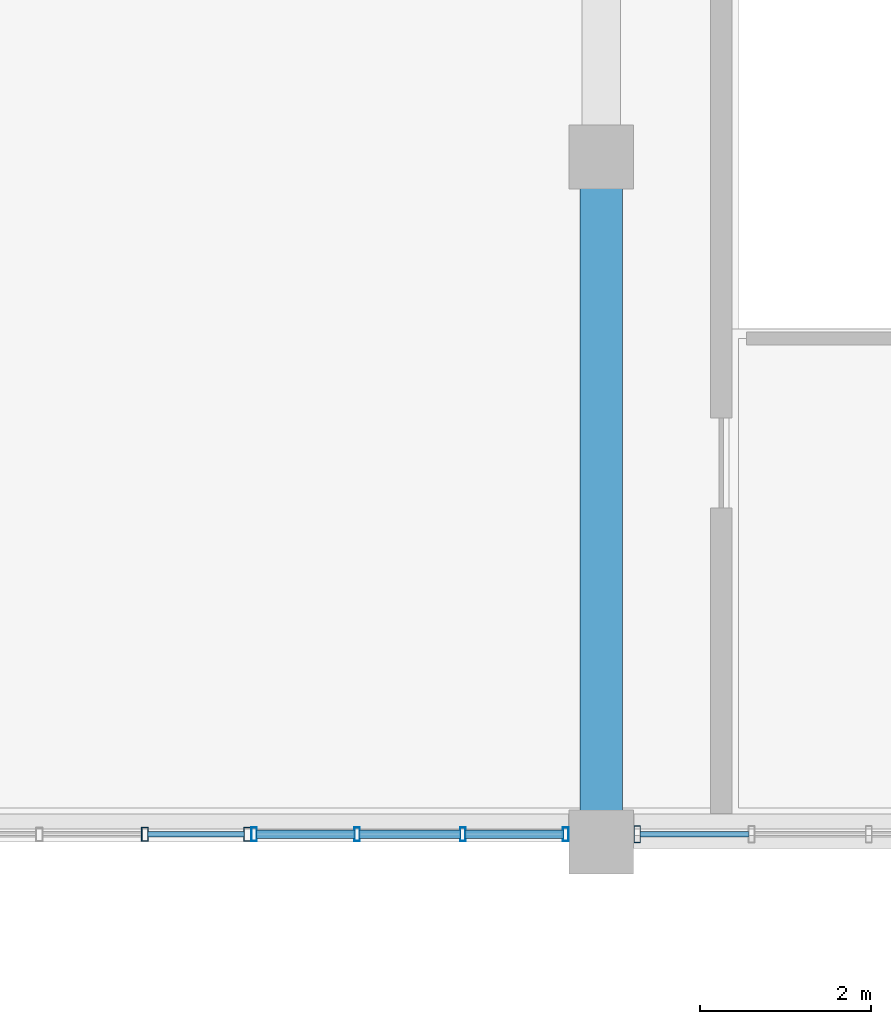
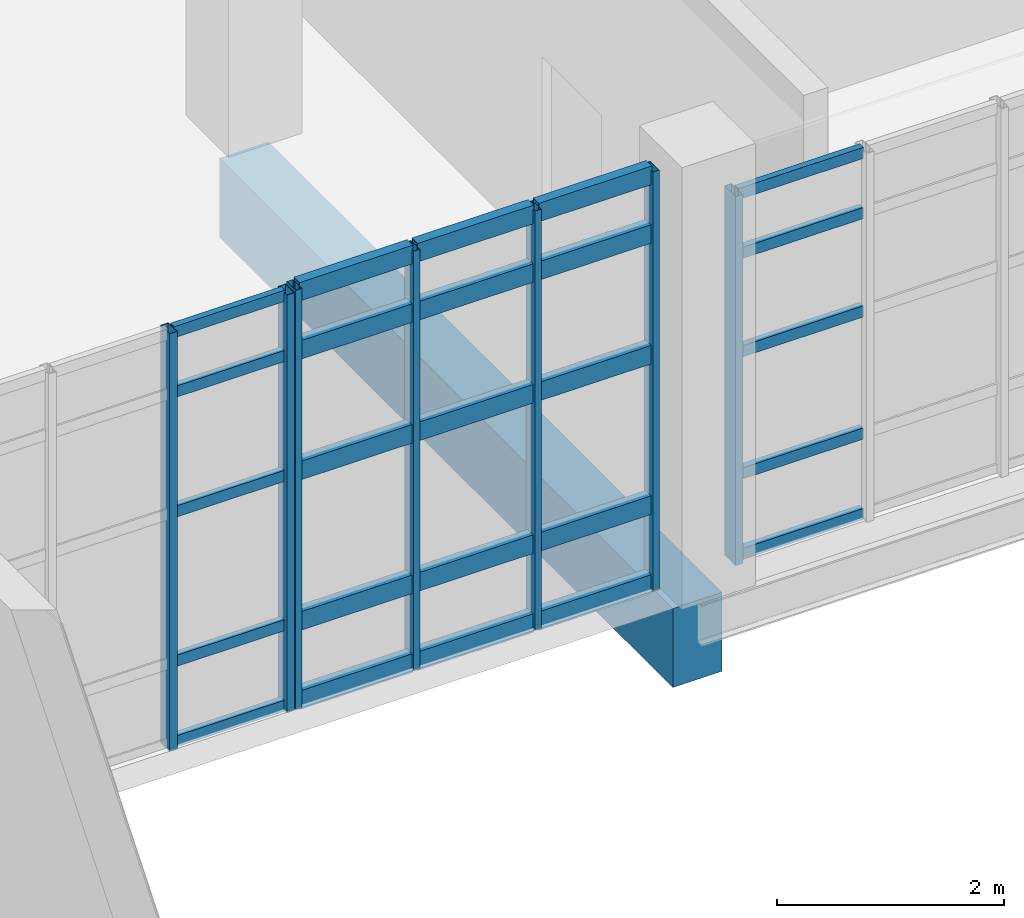
# One storey, part 41 of 102: 32 members, 1 beam, 3 elements without a shape of their own.
"""IFC4 building model written with IfcOpenShell, lengths in metres."""

from ifc_helpers import new_model, si_unit, derived_unit, direction, frame, origin, origin_2d, place, context, subcontext, project, spatial, rectangle, hollow_rectangle, extrude, material, layer, layer_set, material_profile, profile_set, type_object, element, aggregate, save


model = new_model("IFC4")

# Units and contexts
model_context = context("Model", 3, precision=1e-05, world=origin(), true_north=direction((0.0, 1.0)))
body_context = subcontext(model_context, "Body", "Model", "MODEL_VIEW")
ifc_project = project(units=[si_unit("LENGTHUNIT", "METRE"), si_unit("AREAUNIT", "SQUARE_METRE"), si_unit("VOLUMEUNIT", "CUBIC_METRE"), si_unit("PLANEANGLEUNIT", "RADIAN"), si_unit("MASSUNIT", "GRAM", prefix="KILO"), derived_unit("THERMALTRANSMITTANCEUNIT", [(si_unit("POWERUNIT", "WATT"), 1), (si_unit("LENGTHUNIT", "METRE"), -2), (si_unit("THERMODYNAMICTEMPERATUREUNIT", "KELVIN"), -1)])], contexts=[model_context])

# Site, building, storey
site_placement = place(None, origin())
site = spatial("IfcSite", under=ifc_project, at=site_placement, CompositionType="ELEMENT")
building_placement = place(site_placement, origin())
building = spatial("IfcBuilding", under=site, at=building_placement, Name="Nallur Shell Playhouse", CompositionType="ELEMENT")
storey_placement = place(building_placement, frame((0.0, 0.0, 15.0)))
storey = spatial("IfcBuildingStorey", under=building, at=storey_placement, Name="L04", CompositionType="ELEMENT", Elevation=15.0)

# Beam
ifc_material_1 = material(Name="Concrete M40", Category="concrete")
ifc_material_profile_1 = material_profile(ifc_material_1, rectangle(XDim=0.5, YDim=0.85009765625, at=origin_2d()), Name="RC 500x850")
ifc_profile_set_1 = profile_set([ifc_material_profile_1], Name="Concrete M40")
beam_type = type_object("IfcBeamType", Name="BM-RC-500x850", PredefinedType="BEAM", material=ifc_profile_set_1)
beam_placement = place(storey_placement, frame((126.39990234375, 24.0, -0.68505859375), z_axis=(0.0, 1.0, 0.0), x_axis=(-1.0, 0.0, 0.0)))
element("IfcBeam", 1, at=beam_placement, inside=storey, type_object=beam_type, Name="L04 girder Y-16-861", PredefinedType="BEAM", context=body_context, shape_type="SweptSolid", body=[
    extrude(rectangle(XDim=0.5, YDim=0.85009765625, at=origin_2d()), origin(), (0.0, 0.0, 1.0), 8.0),
])

# Curtain wall, members
ifc_material_2 = material(Name="Anodised Aluminium Double-Glazed Facade System", Category="aluminium")
ifc_layer_1 = layer(ifc_material_2, 0.172119140625)
ifc_layer_set_1 = layer_set([ifc_layer_1], Name="Anodised Aluminium Double-Glazed Facade System")
curtain_wall_type_1 = type_object("IfcCurtainWallType", Name="CW-UNIT-03", PredefinedType="NOTDEFINED", material=ifc_layer_set_1)
curtain_wall_1_placement = place(storey_placement, origin())
curtain_wall_1 = element("IfcCurtainWall", 2, at=curtain_wall_1_placement, inside=storey, type_object=curtain_wall_type_1, Name="Unitised curtain wall CW-131 (L04)", PredefinedType="NOTDEFINED")
ifc_material_3 = material(Name="Aluminium Alloy 6063-T6 Mullion", Category="aluminium")
ifc_material_profile_2 = material_profile(ifc_material_3, hollow_rectangle(XDim=0.080078125, YDim=0.159912109375, WallThickness=0.006103515625, at=origin_2d()), Name="RHS 160x80x6")
ifc_profile_set_2 = profile_set([ifc_material_profile_2], Name="Aluminium Alloy 6063-T6 Mullion")
member_type_1 = type_object("IfcMemberType", Name="MB-CW-MUL150", PredefinedType="MULLION", material=ifc_profile_set_2)
member_1_placement = place(storey_placement, frame((122.263427734375, 24.090087890625, -0.014892578125), z_axis=(0.0, 0.0, 1.0), x_axis=(-1.0, 0.0, 0.0)))
member_1 = element("IfcMember", 3, at=member_1_placement, type_object=member_type_1, Name="CW-03 mullion 1", PredefinedType="MULLION", context=body_context, shape_type="SweptSolid", body=[
    extrude(hollow_rectangle(XDim=0.080078125, YDim=0.159912109375, WallThickness=0.006103515625, at=origin_2d()), origin(), (0.0, 0.0, 1.0), 4.498779296875),
])
member_2_placement = place(storey_placement, frame((121.069091796875, 24.090087890625, -0.014892578125), z_axis=(0.0, 0.0, 1.0), x_axis=(-1.0, 0.0, 0.0)))
member_2 = element("IfcMember", 4, at=member_2_placement, type_object=member_type_1, Name="CW-03 mullion 2", PredefinedType="MULLION", context=body_context, shape_type="SweptSolid", body=[
    extrude(hollow_rectangle(XDim=0.080078125, YDim=0.159912109375, WallThickness=0.006103515625, at=origin_2d()), origin(), (0.0, 0.0, 1.0), 4.498779296875),
])

ifc_layer_2 = layer(ifc_material_2, 0.16796875)
ifc_layer_set_2 = layer_set([ifc_layer_2], Name="Anodised Aluminium Double-Glazed Facade System")
curtain_wall_type_2 = type_object("IfcCurtainWallType", Name="CW-UNIT-02", PredefinedType="NOTDEFINED", material=ifc_layer_set_2)
curtain_wall_2_placement = place(storey_placement, origin())
curtain_wall_2 = element("IfcCurtainWall", 5, at=curtain_wall_2_placement, inside=storey, type_object=curtain_wall_type_2, Name="Unitised curtain wall CW-130 (L04)", PredefinedType="NOTDEFINED")
ifc_material_profile_3 = material_profile(ifc_material_3, hollow_rectangle(XDim=0.06494140625, YDim=0.159912109375, WallThickness=0.00390625, at=origin_2d()), Name="ALU 65x160x4")
ifc_profile_set_3 = profile_set([ifc_material_profile_3], Name="Aluminium Alloy 6063-T6 Mullion")
member_type_2 = type_object("IfcMemberType", Name="MB-CW-MUL160", PredefinedType="MULLION", material=ifc_profile_set_3)
member_3_placement = place(storey_placement, frame((125.984619140625, 24.090087890625, -0.014892578125), z_axis=(0.0, 0.0, 1.0), x_axis=(-1.0, 0.0, 0.0)))
member_3 = element("IfcMember", 6, at=member_3_placement, type_object=member_type_2, Name="CW-02 mullion 1", PredefinedType="MULLION", context=body_context, shape_type="SweptSolid", body=[
    extrude(hollow_rectangle(XDim=0.06494140625, YDim=0.159912109375, WallThickness=0.00390625, at=origin_2d()), origin(), (0.0, 0.0, 1.0), 4.518798828125),
])
member_4_placement = place(storey_placement, frame((124.782470703125, 24.090087890625, -0.014892578125), z_axis=(0.0, 0.0, 1.0), x_axis=(-1.0, 0.0, 0.0)))
member_4 = element("IfcMember", 7, at=member_4_placement, type_object=member_type_2, Name="CW-02 mullion 2", PredefinedType="MULLION", context=body_context, shape_type="SweptSolid", body=[
    extrude(hollow_rectangle(XDim=0.06494140625, YDim=0.159912109375, WallThickness=0.00390625, at=origin_2d()), origin(), (0.0, 0.0, 1.0), 4.518798828125),
])
member_5_placement = place(storey_placement, frame((123.548095703125, 24.090087890625, -0.014892578125), z_axis=(0.0, 0.0, 1.0), x_axis=(-1.0, 0.0, 0.0)))
member_5 = element("IfcMember", 8, at=member_5_placement, type_object=member_type_2, Name="CW-02 mullion 3", PredefinedType="MULLION", context=body_context, shape_type="SweptSolid", body=[
    extrude(hollow_rectangle(XDim=0.06494140625, YDim=0.159912109375, WallThickness=0.00390625, at=origin_2d()), origin(), (0.0, 0.0, 1.0), 4.518798828125),
])
member_6_placement = place(storey_placement, frame((122.345947265625, 24.090087890625, -0.014892578125), z_axis=(0.0, 0.0, 1.0), x_axis=(-1.0, 0.0, 0.0)))
member_6 = element("IfcMember", 9, at=member_6_placement, type_object=member_type_2, Name="CW-02 mullion 4", PredefinedType="MULLION", context=body_context, shape_type="SweptSolid", body=[
    extrude(hollow_rectangle(XDim=0.06494140625, YDim=0.159912109375, WallThickness=0.00390625, at=origin_2d()), origin(), (0.0, 0.0, 1.0), 4.518798828125),
])

ifc_layer_3 = layer(ifc_material_2, 0.1640625)
ifc_layer_set_3 = layer_set([ifc_layer_3], Name="Anodised Aluminium Double-Glazed Facade System")
curtain_wall_type_3 = type_object("IfcCurtainWallType", Name="CW-UNIT-01", PredefinedType="NOTDEFINED", material=ifc_layer_set_3)
curtain_wall_3_placement = place(storey_placement, origin())
curtain_wall_3 = element("IfcCurtainWall", 10, at=curtain_wall_3_placement, inside=storey, type_object=curtain_wall_type_3, Name="Unitised curtain wall CW-129 (L04)", PredefinedType="NOTDEFINED")
ifc_material_profile_4 = material_profile(ifc_material_3, hollow_rectangle(XDim=0.074951171875, YDim=0.199951171875, WallThickness=0.0048828125, at=origin_2d()), Name="ALU 75x200x5")
ifc_profile_set_4 = profile_set([ifc_material_profile_4], Name="Aluminium Alloy 6063-T6 Mullion")
member_type_3 = type_object("IfcMemberType", Name="MB-CW-MUL180", PredefinedType="MULLION", material=ifc_profile_set_4)
member_7_placement = place(storey_placement, frame((126.820556640625, 24.090087890625, -0.014892578125), z_axis=(0.0, 0.0, 1.0), x_axis=(-1.0, 0.0, 0.0)))
member_7 = element("IfcMember", 11, at=member_7_placement, type_object=member_type_3, Name="CW-01 mullion 4", PredefinedType="MULLION", context=body_context, shape_type="SweptSolid", body=[
    extrude(hollow_rectangle(XDim=0.074951171875, YDim=0.199951171875, WallThickness=0.0048828125, at=origin_2d()), origin(), (0.0, 0.0, 1.0), 3.973876953125),
])
ifc_material_4 = material(Name="Aluminium Alloy 6063-T6 Transom", Category="aluminium")
ifc_material_profile_5 = material_profile(ifc_material_4, hollow_rectangle(XDim=0.06494140625, YDim=0.1201171875, WallThickness=0.00390625, at=origin_2d()), Name="ALU 65x120x4")
ifc_profile_set_5 = profile_set([ifc_material_profile_5], Name="Aluminium Alloy 6063-T6 Transom")
member_type_4 = type_object("IfcMemberType", Name="MB-CW-TRN120", PredefinedType="USERDEFINED", material=ifc_profile_set_5)
member_8_placement = place(storey_placement, frame((128.124267578125, 24.090087890625, 0.032470703125), z_axis=(-1.0, 0.0, 0.0), x_axis=(0.0, -1.0, 0.0)))
member_8 = element("IfcMember", 12, at=member_8_placement, type_object=member_type_4, Name="CW-01 transom 3.1", ObjectType="TRANSOM", PredefinedType="USERDEFINED", context=body_context, shape_type="SweptSolid", body=[
    extrude(hollow_rectangle(XDim=0.06494140625, YDim=0.1201171875, WallThickness=0.00390625, at=origin_2d()), origin(), (0.0, 0.0, 1.0), 1.274169921875),
])
member_9_placement = place(storey_placement, frame((128.124267578125, 24.090087890625, 0.89990234375), z_axis=(-1.0, 0.0, 0.0), x_axis=(0.0, -1.0, 0.0)))
member_9 = element("IfcMember", 13, at=member_9_placement, type_object=member_type_4, Name="CW-01 transom 3.2", ObjectType="TRANSOM", PredefinedType="USERDEFINED", context=body_context, shape_type="SweptSolid", body=[
    extrude(hollow_rectangle(XDim=0.06494140625, YDim=0.1201171875, WallThickness=0.00390625, at=origin_2d()), origin(), (0.0, 0.0, 1.0), 1.274169921875),
])
member_10_placement = place(storey_placement, frame((128.124267578125, 24.090087890625, 2.215087890625), z_axis=(-1.0, 0.0, 0.0), x_axis=(0.0, -1.0, 0.0)))
member_10 = element("IfcMember", 14, at=member_10_placement, type_object=member_type_4, Name="CW-01 transom 3.3", ObjectType="TRANSOM", PredefinedType="USERDEFINED", context=body_context, shape_type="SweptSolid", body=[
    extrude(hollow_rectangle(XDim=0.06494140625, YDim=0.1201171875, WallThickness=0.00390625, at=origin_2d()), origin(), (0.0, 0.0, 1.0), 1.274169921875),
])
member_11_placement = place(storey_placement, frame((128.124267578125, 24.090087890625, 3.27490234375), z_axis=(-1.0, 0.0, 0.0), x_axis=(0.0, -1.0, 0.0)))
member_11 = element("IfcMember", 15, at=member_11_placement, type_object=member_type_4, Name="CW-01 transom 3.4", ObjectType="TRANSOM", PredefinedType="USERDEFINED", context=body_context, shape_type="SweptSolid", body=[
    extrude(hollow_rectangle(XDim=0.06494140625, YDim=0.1201171875, WallThickness=0.00390625, at=origin_2d()), origin(), (0.0, 0.0, 1.0), 1.274169921875),
])
member_12_placement = place(storey_placement, frame((128.124267578125, 24.090087890625, 3.922607421875), z_axis=(-1.0, 0.0, 0.0), x_axis=(0.0, -1.0, 0.0)))
member_12 = element("IfcMember", 16, at=member_12_placement, type_object=member_type_4, Name="CW-01 transom 3.5", ObjectType="TRANSOM", PredefinedType="USERDEFINED", context=body_context, shape_type="SweptSolid", body=[
    extrude(hollow_rectangle(XDim=0.06494140625, YDim=0.1201171875, WallThickness=0.00390625, at=origin_2d()), origin(), (0.0, 0.0, 1.0), 1.274169921875),
])
aggregate(curtain_wall_3, [member_7, member_8, member_9, member_10, member_11, member_12])

# Member
member_13_placement = place(storey_placement, frame((122.2314453125, 24.090087890625, 0.032470703125), z_axis=(-1.0, 0.0, 0.0), x_axis=(0.0, -1.0, 0.0)))
member_13 = element("IfcMember", 17, at=member_13_placement, type_object=member_type_4, Name="CW-03 transom 1.1", ObjectType="TRANSOM", PredefinedType="USERDEFINED", context=body_context, shape_type="SweptSolid", body=[
    extrude(hollow_rectangle(XDim=0.06494140625, YDim=0.1201171875, WallThickness=0.00390625, at=origin_2d()), origin(), (0.0, 0.0, 1.0), 1.13037109375),
])

member_14_placement = place(storey_placement, frame((122.2314453125, 24.090087890625, 0.89990234375), z_axis=(-1.0, 0.0, 0.0), x_axis=(0.0, -1.0, 0.0)))
member_14 = element("IfcMember", 18, at=member_14_placement, type_object=member_type_4, Name="CW-03 transom 1.2", ObjectType="TRANSOM", PredefinedType="USERDEFINED", context=body_context, shape_type="SweptSolid", body=[
    extrude(hollow_rectangle(XDim=0.06494140625, YDim=0.1201171875, WallThickness=0.00390625, at=origin_2d()), origin(), (0.0, 0.0, 1.0), 1.13037109375),
])

member_15_placement = place(storey_placement, frame((122.2314453125, 24.090087890625, 2.509033203125), z_axis=(-1.0, 0.0, 0.0), x_axis=(0.0, -1.0, 0.0)))
member_15 = element("IfcMember", 19, at=member_15_placement, type_object=member_type_4, Name="CW-03 transom 1.3", ObjectType="TRANSOM", PredefinedType="USERDEFINED", context=body_context, shape_type="SweptSolid", body=[
    extrude(hollow_rectangle(XDim=0.06494140625, YDim=0.1201171875, WallThickness=0.00390625, at=origin_2d()), origin(), (0.0, 0.0, 1.0), 1.13037109375),
])

member_16_placement = place(storey_placement, frame((122.2314453125, 24.090087890625, 3.800048828125), z_axis=(-1.0, 0.0, 0.0), x_axis=(0.0, -1.0, 0.0)))
member_16 = element("IfcMember", 20, at=member_16_placement, type_object=member_type_4, Name="CW-03 transom 1.4", ObjectType="TRANSOM", PredefinedType="USERDEFINED", context=body_context, shape_type="SweptSolid", body=[
    extrude(hollow_rectangle(XDim=0.06494140625, YDim=0.1201171875, WallThickness=0.00390625, at=origin_2d()), origin(), (0.0, 0.0, 1.0), 1.13037109375),
])

member_17_placement = place(storey_placement, frame((122.2314453125, 24.090087890625, 4.447509765625), z_axis=(-1.0, 0.0, 0.0), x_axis=(0.0, -1.0, 0.0)))
member_17 = element("IfcMember", 21, at=member_17_placement, type_object=member_type_4, Name="CW-03 transom 1.5", ObjectType="TRANSOM", PredefinedType="USERDEFINED", context=body_context, shape_type="SweptSolid", body=[
    extrude(hollow_rectangle(XDim=0.06494140625, YDim=0.1201171875, WallThickness=0.00390625, at=origin_2d()), origin(), (0.0, 0.0, 1.0), 1.13037109375),
])

aggregate(curtain_wall_1, [member_1, member_2, member_13, member_14, member_15, member_16, member_17])

ifc_material_profile_6 = material_profile(ifc_material_4, hollow_rectangle(XDim=0.10009765625, YDim=0.199951171875, WallThickness=0.008056640625, at=origin_2d()), Name="RHS 200x100x8")
ifc_profile_set_6 = profile_set([ifc_material_profile_6], Name="Aluminium Alloy 6063-T6 Transom")
member_type_5 = type_object("IfcMemberType", Name="MB-CW-TRN140", PredefinedType="USERDEFINED", material=ifc_profile_set_6)
member_18_placement = place(storey_placement, frame((125.9599609375, 24.090087890625, 0.050048828125), z_axis=(-1.0, 0.0, 0.0), x_axis=(0.0, -1.0, 0.0)))
member_18 = element("IfcMember", 22, at=member_18_placement, type_object=member_type_5, Name="CW-02 transom 1.1", ObjectType="TRANSOM", PredefinedType="USERDEFINED", context=body_context, shape_type="SweptSolid", body=[
    extrude(hollow_rectangle(XDim=0.10009765625, YDim=0.199951171875, WallThickness=0.008056640625, at=origin_2d()), origin(), (0.0, 0.0, 1.0), 1.153076171875),
])

member_19_placement = place(storey_placement, frame((125.9599609375, 24.090087890625, 0.89990234375), z_axis=(-1.0, 0.0, 0.0), x_axis=(0.0, -1.0, 0.0)))
member_19 = element("IfcMember", 23, at=member_19_placement, type_object=member_type_5, Name="CW-02 transom 1.2", ObjectType="TRANSOM", PredefinedType="USERDEFINED", context=body_context, shape_type="SweptSolid", body=[
    extrude(hollow_rectangle(XDim=0.10009765625, YDim=0.199951171875, WallThickness=0.008056640625, at=origin_2d()), origin(), (0.0, 0.0, 1.0), 1.153076171875),
])

member_20_placement = place(storey_placement, frame((125.9599609375, 24.090087890625, 2.52001953125), z_axis=(-1.0, 0.0, 0.0), x_axis=(0.0, -1.0, 0.0)))
member_20 = element("IfcMember", 24, at=member_20_placement, type_object=member_type_5, Name="CW-02 transom 1.3", ObjectType="TRANSOM", PredefinedType="USERDEFINED", context=body_context, shape_type="SweptSolid", body=[
    extrude(hollow_rectangle(XDim=0.10009765625, YDim=0.199951171875, WallThickness=0.008056640625, at=origin_2d()), origin(), (0.0, 0.0, 1.0), 1.153076171875),
])

member_21_placement = place(storey_placement, frame((125.9599609375, 24.090087890625, 3.820068359375), z_axis=(-1.0, 0.0, 0.0), x_axis=(0.0, -1.0, 0.0)))
member_21 = element("IfcMember", 25, at=member_21_placement, type_object=member_type_5, Name="CW-02 transom 1.4", ObjectType="TRANSOM", PredefinedType="USERDEFINED", context=body_context, shape_type="SweptSolid", body=[
    extrude(hollow_rectangle(XDim=0.10009765625, YDim=0.199951171875, WallThickness=0.008056640625, at=origin_2d()), origin(), (0.0, 0.0, 1.0), 1.153076171875),
])

member_22_placement = place(storey_placement, frame((125.9599609375, 24.090087890625, 4.449951171875), z_axis=(-1.0, 0.0, 0.0), x_axis=(0.0, -1.0, 0.0)))
member_22 = element("IfcMember", 26, at=member_22_placement, type_object=member_type_5, Name="CW-02 transom 1.5", ObjectType="TRANSOM", PredefinedType="USERDEFINED", context=body_context, shape_type="SweptSolid", body=[
    extrude(hollow_rectangle(XDim=0.10009765625, YDim=0.199951171875, WallThickness=0.008056640625, at=origin_2d()), origin(), (0.0, 0.0, 1.0), 1.153076171875),
])

member_23_placement = place(storey_placement, frame((124.758056640625, 24.090087890625, 0.050048828125), z_axis=(-1.0, 0.0, 0.0), x_axis=(0.0, -1.0, 0.0)))
member_23 = element("IfcMember", 27, at=member_23_placement, type_object=member_type_5, Name="CW-02 transom 2.1", ObjectType="TRANSOM", PredefinedType="USERDEFINED", context=body_context, shape_type="SweptSolid", body=[
    extrude(hollow_rectangle(XDim=0.10009765625, YDim=0.199951171875, WallThickness=0.008056640625, at=origin_2d()), origin(), (0.0, 0.0, 1.0), 1.185546875),
])

member_24_placement = place(storey_placement, frame((124.758056640625, 24.090087890625, 0.89990234375), z_axis=(-1.0, 0.0, 0.0), x_axis=(0.0, -1.0, 0.0)))
member_24 = element("IfcMember", 28, at=member_24_placement, type_object=member_type_5, Name="CW-02 transom 2.2", ObjectType="TRANSOM", PredefinedType="USERDEFINED", context=body_context, shape_type="SweptSolid", body=[
    extrude(hollow_rectangle(XDim=0.10009765625, YDim=0.199951171875, WallThickness=0.008056640625, at=origin_2d()), origin(), (0.0, 0.0, 1.0), 1.185546875),
])

member_25_placement = place(storey_placement, frame((124.758056640625, 24.090087890625, 2.52001953125), z_axis=(-1.0, 0.0, 0.0), x_axis=(0.0, -1.0, 0.0)))
member_25 = element("IfcMember", 29, at=member_25_placement, type_object=member_type_5, Name="CW-02 transom 2.3", ObjectType="TRANSOM", PredefinedType="USERDEFINED", context=body_context, shape_type="SweptSolid", body=[
    extrude(hollow_rectangle(XDim=0.10009765625, YDim=0.199951171875, WallThickness=0.008056640625, at=origin_2d()), origin(), (0.0, 0.0, 1.0), 1.185546875),
])

member_26_placement = place(storey_placement, frame((124.758056640625, 24.090087890625, 3.820068359375), z_axis=(-1.0, 0.0, 0.0), x_axis=(0.0, -1.0, 0.0)))
member_26 = element("IfcMember", 30, at=member_26_placement, type_object=member_type_5, Name="CW-02 transom 2.4", ObjectType="TRANSOM", PredefinedType="USERDEFINED", context=body_context, shape_type="SweptSolid", body=[
    extrude(hollow_rectangle(XDim=0.10009765625, YDim=0.199951171875, WallThickness=0.008056640625, at=origin_2d()), origin(), (0.0, 0.0, 1.0), 1.185546875),
])

member_27_placement = place(storey_placement, frame((124.758056640625, 24.090087890625, 4.449951171875), z_axis=(-1.0, 0.0, 0.0), x_axis=(0.0, -1.0, 0.0)))
member_27 = element("IfcMember", 31, at=member_27_placement, type_object=member_type_5, Name="CW-02 transom 2.5", ObjectType="TRANSOM", PredefinedType="USERDEFINED", context=body_context, shape_type="SweptSolid", body=[
    extrude(hollow_rectangle(XDim=0.10009765625, YDim=0.199951171875, WallThickness=0.008056640625, at=origin_2d()), origin(), (0.0, 0.0, 1.0), 1.185546875),
])

member_28_placement = place(storey_placement, frame((123.5234375, 24.090087890625, 0.050048828125), z_axis=(-1.0, 0.0, 0.0), x_axis=(0.0, -1.0, 0.0)))
member_28 = element("IfcMember", 32, at=member_28_placement, type_object=member_type_5, Name="CW-02 transom 3.1", ObjectType="TRANSOM", PredefinedType="USERDEFINED", context=body_context, shape_type="SweptSolid", body=[
    extrude(hollow_rectangle(XDim=0.10009765625, YDim=0.199951171875, WallThickness=0.008056640625, at=origin_2d()), origin(), (0.0, 0.0, 1.0), 1.15283203125),
])

member_29_placement = place(storey_placement, frame((123.5234375, 24.090087890625, 0.89990234375), z_axis=(-1.0, 0.0, 0.0), x_axis=(0.0, -1.0, 0.0)))
member_29 = element("IfcMember", 33, at=member_29_placement, type_object=member_type_5, Name="CW-02 transom 3.2", ObjectType="TRANSOM", PredefinedType="USERDEFINED", context=body_context, shape_type="SweptSolid", body=[
    extrude(hollow_rectangle(XDim=0.10009765625, YDim=0.199951171875, WallThickness=0.008056640625, at=origin_2d()), origin(), (0.0, 0.0, 1.0), 1.15283203125),
])

member_30_placement = place(storey_placement, frame((123.5234375, 24.090087890625, 2.52001953125), z_axis=(-1.0, 0.0, 0.0), x_axis=(0.0, -1.0, 0.0)))
member_30 = element("IfcMember", 34, at=member_30_placement, type_object=member_type_5, Name="CW-02 transom 3.3", ObjectType="TRANSOM", PredefinedType="USERDEFINED", context=body_context, shape_type="SweptSolid", body=[
    extrude(hollow_rectangle(XDim=0.10009765625, YDim=0.199951171875, WallThickness=0.008056640625, at=origin_2d()), origin(), (0.0, 0.0, 1.0), 1.15283203125),
])

member_31_placement = place(storey_placement, frame((123.5234375, 24.090087890625, 3.820068359375), z_axis=(-1.0, 0.0, 0.0), x_axis=(0.0, -1.0, 0.0)))
member_31 = element("IfcMember", 35, at=member_31_placement, type_object=member_type_5, Name="CW-02 transom 3.4", ObjectType="TRANSOM", PredefinedType="USERDEFINED", context=body_context, shape_type="SweptSolid", body=[
    extrude(hollow_rectangle(XDim=0.10009765625, YDim=0.199951171875, WallThickness=0.008056640625, at=origin_2d()), origin(), (0.0, 0.0, 1.0), 1.15283203125),
])

member_32_placement = place(storey_placement, frame((123.5234375, 24.090087890625, 4.449951171875), z_axis=(-1.0, 0.0, 0.0), x_axis=(0.0, -1.0, 0.0)))
member_32 = element("IfcMember", 36, at=member_32_placement, type_object=member_type_5, Name="CW-02 transom 3.5", ObjectType="TRANSOM", PredefinedType="USERDEFINED", context=body_context, shape_type="SweptSolid", body=[
    extrude(hollow_rectangle(XDim=0.10009765625, YDim=0.199951171875, WallThickness=0.008056640625, at=origin_2d()), origin(), (0.0, 0.0, 1.0), 1.15283203125),
])

aggregate(curtain_wall_2, [member_3, member_4, member_5, member_6, member_18, member_19, member_20, member_21, member_22, member_23, member_24, member_25, member_26, member_27, member_28, member_29, member_30, member_31, member_32])

save(model, "model.ifc")
